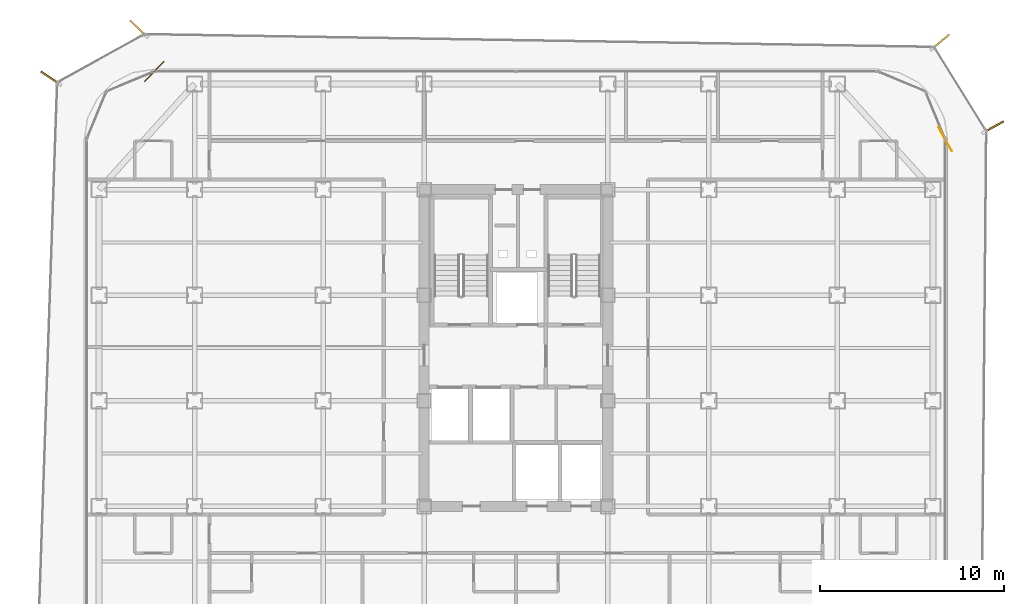
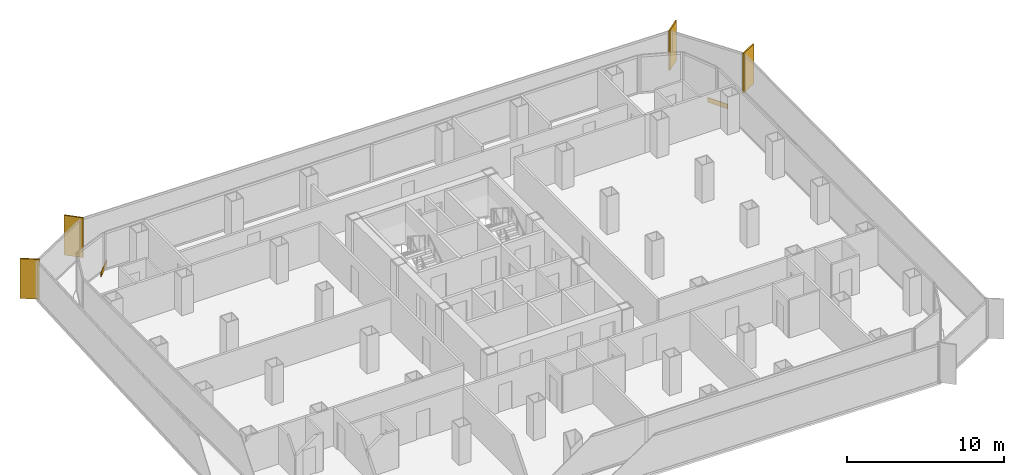
# One storey, part 21 of 21: 4 shading devices, 2 coverings.
"""IFC4 building model written with IfcOpenShell, lengths in metres."""

from ifc_helpers import new_model, si_unit, direction, frame, origin, origin_2d, place, context, subcontext, project, spatial, rectangle, extrude, source, transform, mapped, material, layer, layer_set, type_object, element, save


model = new_model("IFC4")

# Units and contexts
model_context = context("Model", 3, precision=1e-05, world=origin(), true_north=direction((0.0, 1.0)))
body_context = subcontext(model_context, "Body", "Model", "MODEL_VIEW")
ifc_project = project(units=[si_unit("LENGTHUNIT", "METRE"), si_unit("AREAUNIT", "SQUARE_METRE"), si_unit("VOLUMEUNIT", "CUBIC_METRE"), si_unit("PLANEANGLEUNIT", "RADIAN"), si_unit("MASSUNIT", "GRAM", prefix="KILO")], contexts=[model_context])

# Site, building, storey
site_placement = place(None, origin())
site = spatial("IfcSite", under=ifc_project, at=site_placement, CompositionType="ELEMENT")
building_placement = place(site_placement, origin())
building = spatial("IfcBuilding", under=site, at=building_placement, Name="Kolveth Station Tower", CompositionType="ELEMENT")
storey_placement = place(building_placement, frame((0.0, 0.0, 95.89990234375)))
storey = spatial("IfcBuildingStorey", under=building, at=storey_placement, Name="L25", CompositionType="ELEMENT", Elevation=95.89990234375)

# Shading devices
ifc_material_1 = material(Name="Black anodized aluminium 6063-T6", Category="aluminium")
shading_device_type = type_object("IfcShadingDeviceType", Name="FIN_VF1", PredefinedType="USERDEFINED", material=ifc_material_1)
shared_shape_1 = source(origin(), body_context, "Body", "SweptSolid", [
    extrude(rectangle(XDim=1.25, YDim=0.090087890625, at=origin_2d()), origin(), (0.0, 0.0, 1.0), 3.10009765625),
])
for number, where, z_axis, x_axis, name in (
    (1, (49.510986328125, 32.166015625, 0.0), (0.0, 0.0, 1.0), (0.87326245481, 0.487250125725, 0.0), "L25 Dark-Aluminium Solar Fin 3"),
    (2, (46.6240234375, 36.803955078125, 0.0), (0.0, 0.0, 1.0), (0.770068049148, 0.637961754089, 0.0), "L25 Dark-Aluminium Solar Fin 4"),
    (3, (2.943115234375, 37.52294921875, 0.0), (0.0, 0.0, 1.0), (-0.718975979477, 0.695034920658, 0.0), "L25 Dark-Aluminium Solar Fin 5"),
    (4, (-1.85205078125, 34.837890625, 0.0), (0.0, 0.0, 1.0), (-0.827668733006, 0.561216953062, 0.0), "L25 Dark-Aluminium Solar Fin 6"),
):
    element("IfcShadingDevice", number, at=place(storey_placement, frame(where, z_axis=z_axis, x_axis=x_axis)), inside=storey, type_object=shading_device_type, Name=name, ObjectType="FIN", PredefinedType="USERDEFINED", context=body_context, shape_type="MappedRepresentation", body=[
        mapped(shared_shape_1, transform((0.0, 0.0, 0.0), x_axis=(1.0, 0.0, 0.0), y_axis=(0.0, 1.0, 0.0), z_axis=(0.0, 0.0, 1.0), scale=1.0)),
    ])

# Coverings
ifc_material_2 = material(Name="Charcoal anodized aluminium spandrel cladding", Category="aluminium")
ifc_layer = layer(ifc_material_2, 0.044921875)
ifc_layer_set = layer_set([ifc_layer], Name="Charcoal anodized aluminium spandrel cladding")
covering_type = type_object("IfcCoveringType", Name="Clad_CD1", PredefinedType="CLADDING", material=ifc_layer_set)
shared_shape_2 = source(origin(), body_context, "Body", "SweptSolid", [
    extrude(rectangle(XDim=1.5, YDim=0.044921875, at=origin_2d()), origin(), (0.0, 0.0, 1.0), 0.360107421875),
])
for number, where, z_axis, x_axis, name in (
    (5, (46.8798828125, 31.5, 0.0), (0.0, 0.0, 1.0), (-0.487250125725, 0.87326245481, 0.0), "L25 Spandrel Edge Cladding 3"),
    (6, (3.800048828125, 35.179931640625, 0.0), (0.0, 0.0, 1.0), (-0.695034920658, -0.718975979477, 0.0), "L25 Spandrel Edge Cladding 5"),
):
    element("IfcCovering", number, at=place(storey_placement, frame(where, z_axis=z_axis, x_axis=x_axis)), inside=storey, type_object=covering_type, Name=name, PredefinedType="CLADDING", context=body_context, shape_type="MappedRepresentation", body=[
        mapped(shared_shape_2, transform((0.0, 0.0, 0.0), x_axis=(1.0, 0.0, 0.0), y_axis=(0.0, 1.0, 0.0), z_axis=(0.0, 0.0, 1.0), scale=1.0)),
    ])

save(model, "model.ifc")
